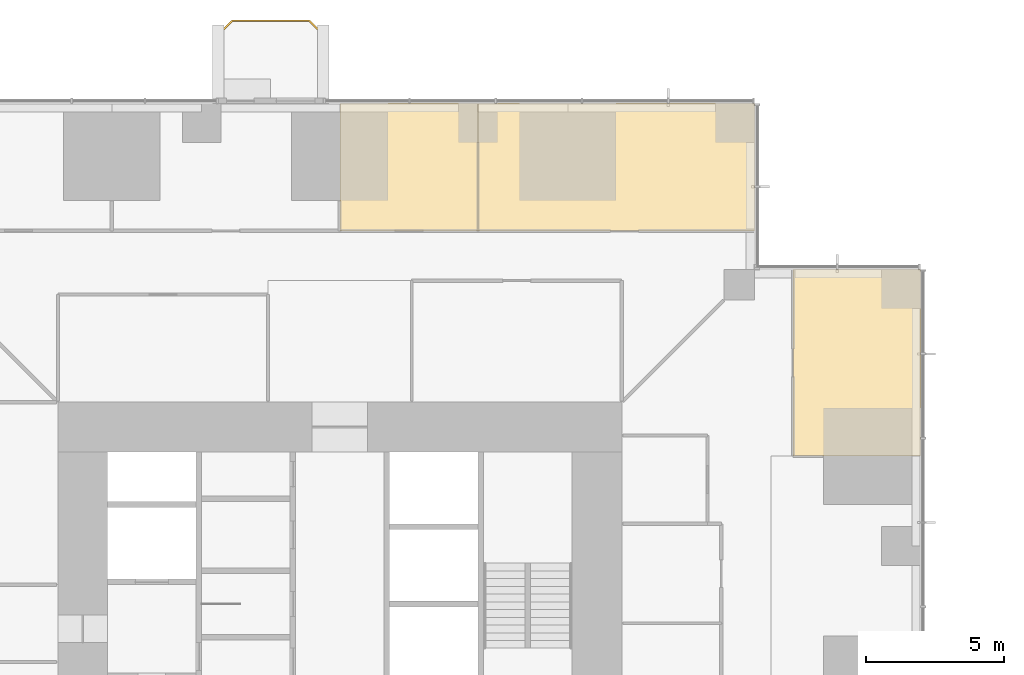
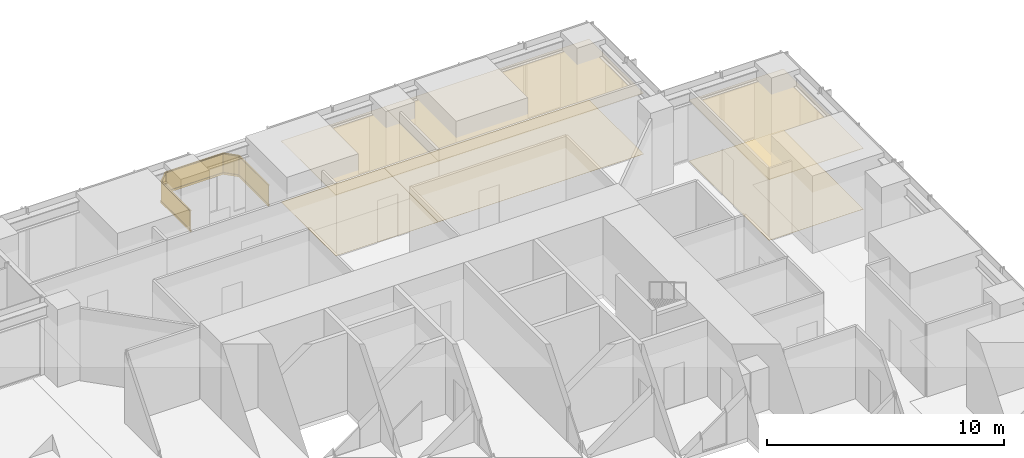
# One storey, part 15 of 16: 6 coverings, 1 railing.
"""IFC4 building model written with IfcOpenShell, lengths in metres."""

from ifc_helpers import new_model, si_unit, direction, frame, origin, origin_2d, place, context, subcontext, project, spatial, polyline, rectangle, outline, extrude, material, layer, layer_set, type_object, element, save


model = new_model("IFC4")

# Units and contexts
model_context = context("Model", 3, precision=1e-05, world=origin(), true_north=direction((0.0, 1.0)))
body_context = subcontext(model_context, "Body", "Model", "MODEL_VIEW")
ifc_project = project(units=[si_unit("LENGTHUNIT", "METRE"), si_unit("AREAUNIT", "SQUARE_METRE"), si_unit("VOLUMEUNIT", "CUBIC_METRE"), si_unit("PLANEANGLEUNIT", "RADIAN"), si_unit("MASSUNIT", "GRAM", prefix="KILO")], contexts=[model_context])

# Site, building, storey
site_placement = place(None, origin())
site = spatial("IfcSite", under=ifc_project, at=site_placement, CompositionType="ELEMENT")
building_placement = place(site_placement, origin())
building = spatial("IfcBuilding", under=site, at=building_placement, Name="Svetlomir Tower", CompositionType="ELEMENT")
storey_placement = place(building_placement, frame((0.0, 0.0, 58.5)))
storey = spatial("IfcBuildingStorey", under=building, at=storey_placement, Name="L13", CompositionType="ELEMENT", Elevation=58.5)

# Railing
ifc_material_1 = material(Name="Bronze anodised aluminium and laminated glass", Category="aluminium")
railing_type = type_object("IfcRailingType", Name="BALCONY GUARD GR1 1100", PredefinedType="GUARDRAIL", material=ifc_material_1)
railing_placement = place(storey_placement, frame((20.39990234375, 42.0, 0.0)))
element("IfcRailing", 1, at=railing_placement, inside=storey, type_object=railing_type, Name="Balcony guard N L13", PredefinedType="GUARDRAIL", context=body_context, shape_type="SweptSolid", body=[
    extrude(rectangle(XDim=0.06005859375, YDim=0.10009765625, at=origin_2d()), frame((0.0, 0.0, 0.050048828125), z_axis=(0.0, 1.0, 0.0), x_axis=(-1.0, 0.0, 0.0)), (0.0, 0.0, 1.0), 2.5),
    extrude(rectangle(XDim=0.021484375, YDim=0.960205078125, at=origin_2d()), frame((0.0, 0.0, 0.580078125), z_axis=(0.0, 1.0, 0.0), x_axis=(-1.0, 0.0, 0.0)), (0.0, 0.0, 1.0), 2.5),
    extrude(rectangle(XDim=0.06005859375, YDim=0.0400390625, at=origin_2d()), frame((0.0, 0.0, 1.080078125), z_axis=(0.0, 1.0, 0.0), x_axis=(-1.0, 0.0, 0.0)), (0.0, 0.0, 1.0), 2.5),
    extrude(rectangle(XDim=0.06005859375, YDim=0.10009765625, at=origin_2d()), frame((0.0, 2.5, 0.050048828125), z_axis=(-0.707106781187, 0.707106781187, 0.0), x_axis=(-0.707106781187, -0.707106781187, 0.0)), (0.0, 0.0, 1.0), 0.70703125),
    extrude(rectangle(XDim=0.021484375, YDim=0.960205078125, at=origin_2d()), frame((0.0, 2.5, 0.580078125), z_axis=(-0.707106781187, 0.707106781187, 0.0), x_axis=(-0.707106781187, -0.707106781187, 0.0)), (0.0, 0.0, 1.0), 0.70703125),
    extrude(rectangle(XDim=0.06005859375, YDim=0.0400390625, at=origin_2d()), frame((0.0, 2.5, 1.080078125), z_axis=(-0.707106781187, 0.707106781187, 0.0), x_axis=(-0.707106781187, -0.707106781187, 0.0)), (0.0, 0.0, 1.0), 0.70703125),
    extrude(rectangle(XDim=0.06005859375, YDim=0.10009765625, at=origin_2d()), frame((-0.5, 3.0, 0.050048828125), z_axis=(-1.0, 0.0, 0.0), x_axis=(0.0, -1.0, 0.0)), (0.0, 0.0, 1.0), 2.7998046875),
    extrude(rectangle(XDim=0.021484375, YDim=0.960205078125, at=origin_2d()), frame((-0.5, 3.0, 0.580078125), z_axis=(-1.0, 0.0, 0.0), x_axis=(0.0, -1.0, 0.0)), (0.0, 0.0, 1.0), 2.7998046875),
    extrude(rectangle(XDim=0.06005859375, YDim=0.0400390625, at=origin_2d()), frame((-0.5, 3.0, 1.080078125), z_axis=(-1.0, 0.0, 0.0), x_axis=(0.0, -1.0, 0.0)), (0.0, 0.0, 1.0), 2.7998046875),
    extrude(rectangle(XDim=0.06005859375, YDim=0.10009765625, at=origin_2d()), frame((-3.2998046875, 3.0, 0.050048828125), z_axis=(-0.707106781187, -0.707106781187, 0.0), x_axis=(0.707106781187, -0.707106781187, 0.0)), (0.0, 0.0, 1.0), 0.70703125),
    extrude(rectangle(XDim=0.021484375, YDim=0.960205078125, at=origin_2d()), frame((-3.2998046875, 3.0, 0.580078125), z_axis=(-0.707106781187, -0.707106781187, 0.0), x_axis=(0.707106781187, -0.707106781187, 0.0)), (0.0, 0.0, 1.0), 0.70703125),
    extrude(rectangle(XDim=0.06005859375, YDim=0.0400390625, at=origin_2d()), frame((-3.2998046875, 3.0, 1.080078125), z_axis=(-0.707106781187, -0.707106781187, 0.0), x_axis=(0.707106781187, -0.707106781187, 0.0)), (0.0, 0.0, 1.0), 0.70703125),
    extrude(rectangle(XDim=0.06005859375, YDim=0.10009765625, at=origin_2d()), frame((-3.7998046875, 2.5, 0.050048828125), z_axis=(0.0, -1.0, 0.0), x_axis=(1.0, 0.0, 0.0)), (0.0, 0.0, 1.0), 2.5),
    extrude(rectangle(XDim=0.021484375, YDim=0.960205078125, at=origin_2d()), frame((-3.7998046875, 2.5, 0.580078125), z_axis=(0.0, -1.0, 0.0), x_axis=(1.0, 0.0, 0.0)), (0.0, 0.0, 1.0), 2.5),
    extrude(rectangle(XDim=0.06005859375, YDim=0.0400390625, at=origin_2d()), frame((-3.7998046875, 2.5, 1.080078125), z_axis=(0.0, -1.0, 0.0), x_axis=(1.0, 0.0, 0.0)), (0.0, 0.0, 1.0), 2.5),
])

# Coverings
ifc_material_2 = material(Name="Carpet tile", Category="textile")
ifc_layer_1 = layer(ifc_material_2, 0.010009765625)
ifc_layer_set_1 = layer_set([ifc_layer_1], Name="Carpet tile")
covering_type_1 = type_object("IfcCoveringType", Name="CARPET TILE FLOOR 10", PredefinedType="FLOORING", material=ifc_layer_set_1)
covering_1_placement = place(storey_placement, origin())
element("IfcCovering", 2, at=covering_1_placement, inside=storey, type_object=covering_type_1, Name="Floor finish L13-26", PredefinedType="FLOORING", context=body_context, shape_type="SweptSolid", body=[
    extrude(outline(polyline([(37.39990234375, 29.25), (42.0, 29.25), (42.0, 36.0), (37.39990234375, 36.0), (37.39990234375, 29.25)])), origin(), (0.0, 0.0, 1.0), 0.010009765625),
])
covering_2_placement = place(storey_placement, origin())
element("IfcCovering", 3, at=covering_2_placement, inside=storey, type_object=covering_type_1, Name="Floor finish L13-30", PredefinedType="FLOORING", context=body_context, shape_type="SweptSolid", body=[
    extrude(outline(polyline([(21.0, 37.39990234375), (26.0, 37.39990234375), (26.0, 42.0), (21.0, 42.0), (21.0, 37.39990234375)])), origin(), (0.0, 0.0, 1.0), 0.010009765625),
])
covering_3_placement = place(storey_placement, origin())
element("IfcCovering", 4, at=covering_3_placement, inside=storey, type_object=covering_type_1, Name="Floor finish L13-47", PredefinedType="FLOORING", context=body_context, shape_type="SweptSolid", body=[
    extrude(outline(polyline([(36.0, 42.0), (36.0, 37.39990234375), (26.0, 37.39990234375), (26.0, 42.0), (36.0, 42.0)])), origin(), (0.0, 0.0, 1.0), 0.010009765625),
])
ifc_material_3 = material(Name="Mineral fibre ceiling tile", Category="mineral")
ifc_layer_2 = layer(ifc_material_3, 0.02001953125)
ifc_layer_set_2 = layer_set([ifc_layer_2], Name="Mineral fibre ceiling tile")
covering_type_2 = type_object("IfcCoveringType", Name="SUSPENDED CEILING 20", PredefinedType="CEILING", material=ifc_layer_set_2)
covering_4_placement = place(storey_placement, frame((0.0, 0.0, 3.1298828125)))
element("IfcCovering", 5, at=covering_4_placement, inside=storey, type_object=covering_type_2, Name="Ceiling L13-26", PredefinedType="CEILING", context=body_context, shape_type="SweptSolid", body=[
    extrude(outline(polyline([(37.39990234375, 29.25), (42.0, 29.25), (42.0, 36.0), (37.39990234375, 36.0), (37.39990234375, 29.25)])), origin(), (0.0, 0.0, 1.0), 0.02001953125),
])
covering_5_placement = place(storey_placement, frame((0.0, 0.0, 3.1298828125)))
element("IfcCovering", 6, at=covering_5_placement, inside=storey, type_object=covering_type_2, Name="Ceiling L13-30", PredefinedType="CEILING", context=body_context, shape_type="SweptSolid", body=[
    extrude(outline(polyline([(21.0, 37.39990234375), (26.0, 37.39990234375), (26.0, 42.0), (21.0, 42.0), (21.0, 37.39990234375)])), origin(), (0.0, 0.0, 1.0), 0.02001953125),
])
covering_6_placement = place(storey_placement, frame((0.0, 0.0, 3.1298828125)))
element("IfcCovering", 7, at=covering_6_placement, inside=storey, type_object=covering_type_2, Name="Ceiling L13-47", PredefinedType="CEILING", context=body_context, shape_type="SweptSolid", body=[
    extrude(outline(polyline([(36.0, 42.0), (36.0, 37.39990234375), (26.0, 37.39990234375), (26.0, 42.0), (36.0, 42.0)])), origin(), (0.0, 0.0, 1.0), 0.02001953125),
])

save(model, "model.ifc")
